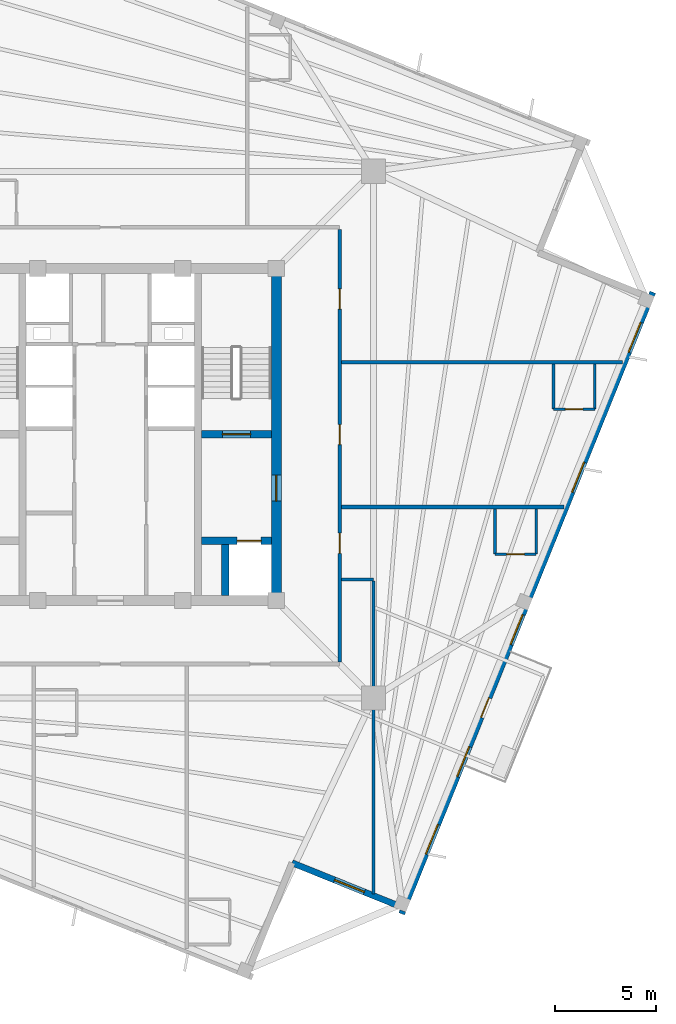
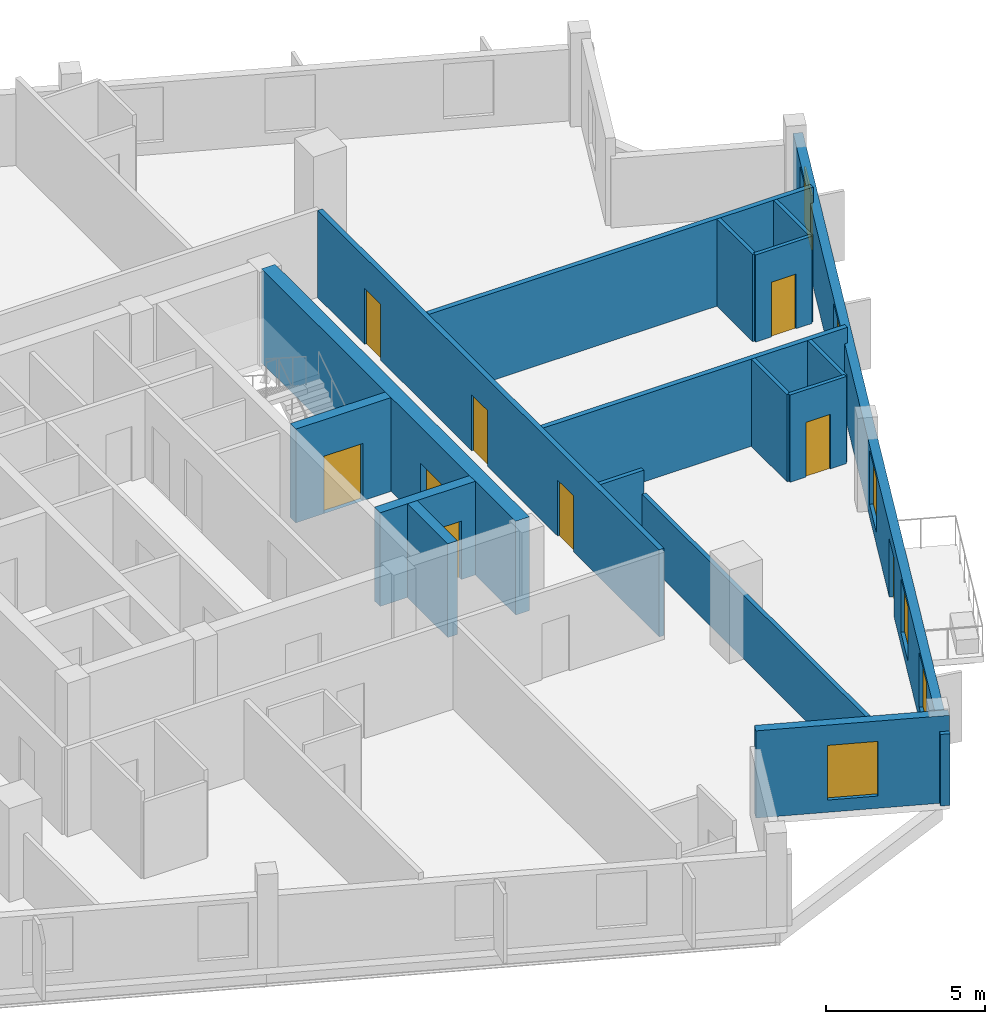
# One storey, part 4 of 9: 17 walls, 9 doors, 6 windows, 15 openings.
"""IFC4 building model written with IfcOpenShell, lengths in metres."""

from ifc_helpers import new_model, si_unit, direction, frame, frame_2d, origin, place, context, subcontext, project, spatial, rectangle, extrude, source, transform, mapped, material, layer, layer_set, type_object, element, fill, save


model = new_model("IFC4")

# Units and contexts
model_context = context("Model", 3, precision=1e-05, world=origin(), true_north=direction((0.0, 1.0)))
body_context = subcontext(model_context, "Body", "Model", "MODEL_VIEW")
ifc_project = project(units=[si_unit("LENGTHUNIT", "METRE"), si_unit("AREAUNIT", "SQUARE_METRE"), si_unit("VOLUMEUNIT", "CUBIC_METRE"), si_unit("PLANEANGLEUNIT", "RADIAN"), si_unit("MASSUNIT", "GRAM", prefix="KILO"), si_unit("THERMODYNAMICTEMPERATUREUNIT", "KELVIN")], contexts=[model_context])

# Site, building, storey
site_placement = place(None, origin())
site = spatial("IfcSite", under=ifc_project, at=site_placement, CompositionType="ELEMENT")
building_placement = place(site_placement, origin())
building = spatial("IfcBuilding", under=site, at=building_placement, Name="Kosmvard Interchange Tower", CompositionType="ELEMENT")
storey_placement = place(building_placement, frame((0.0, 0.0, 272.39990234375)))
storey = spatial("IfcBuildingStorey", under=building, at=storey_placement, Name="L66", CompositionType="ELEMENT", Elevation=272.39990234375)

# Walls
ifc_material_1 = material(Name="Acoustic gypsum partition system")
ifc_layer_1 = layer(ifc_material_1, 0.14990234375, Name="Acoustic gypsum partition system")
ifc_layer_set_1 = layer_set([ifc_layer_1], Name="Acoustic gypsum partition system")
wall_type_1 = type_object("IfcWallType", Name="Acoustic Suite & Meeting Partition 150", PredefinedType="PARTITIONING", material=ifc_layer_set_1)
wall_1_placement = place(storey_placement, frame((11.4951171875, -7.199951171875, 0.0), z_axis=(0.0, 0.0, 1.0), x_axis=(1.0, 0.0, 0.0)))
element("IfcWall", 1, at=wall_1_placement, inside=storey, type_object=wall_type_1, Name="L66 Room Partition 10.1", PredefinedType="PARTITIONING", context=body_context, shape_type="SweptSolid", body=[
    extrude(rectangle(XDim=1.5859375, YDim=0.14990234375, at=frame_2d((0.79296875, 0.0))), origin(), (0.0, 0.0, 1.0), 3.35009765625),
])
wall_2_placement = place(storey_placement, frame((13.0810546875, -7.27490234375, 0.0), z_axis=(0.0, 0.0, 1.0), x_axis=(0.0, -1.0, 0.0)))
element("IfcWall", 2, at=wall_2_placement, inside=storey, type_object=wall_type_1, Name="L66 Room Partition 11.1", PredefinedType="PARTITIONING", context=body_context, shape_type="SweptSolid", body=[
    extrude(rectangle(XDim=15.541748046875, YDim=0.14990234375, at=frame_2d((7.77099609375, 0.0))), origin(), (0.0, 0.0, 1.0), 2.4501953125),
])

# Wall, openings, doors
ifc_material_2 = material(Name="Fire-rated gypsum partition system")
ifc_layer_2 = layer(ifc_material_2, 0.179931640625, Name="Fire-rated gypsum partition system")
ifc_layer_set_2 = layer_set([ifc_layer_2], Name="Fire-rated gypsum partition system")
wall_type_2 = type_object("IfcWallType", Name="Corridor & Hotel Compartment Partition 180", PredefinedType="PARTITIONING", material=ifc_layer_set_2)
wall_3_placement = place(storey_placement, frame((11.39990234375, -11.300048828125, 0.0), z_axis=(0.0, 0.0, 1.0), x_axis=(0.0, 1.0, 0.0)))
wall_3 = element("IfcWall", 3, at=wall_3_placement, inside=storey, type_object=wall_type_2, Name="L66 Corridor Wall CE", PredefinedType="PARTITIONING", context=body_context, shape_type="SweptSolid", body=[
    extrude(rectangle(XDim=21.5, YDim=0.179931640625, at=frame_2d((10.75, 0.0))), origin(), (0.0, 0.0, 1.0), 3.35009765625),
])
opening_1_placement = place(wall_3_placement, frame((17.53564453125, 0.0, 0.0)))
opening_1 = element("IfcOpeningElement", 4, at=opening_1_placement, cuts=wall_3, Name="Opening L66-D07", PredefinedType="OPENING", context=body_context, shape_type="SweptSolid", body=[
    extrude(rectangle(XDim=1.0, YDim=2.14990234375, at=frame_2d((0.5, 1.074951171875))), frame((0.0, 0.10009765625, 0.0), z_axis=(0.0, -1.0, 0.0), x_axis=(1.0, 0.0, 0.0)), (0.0, 0.0, 1.0), 0.199951171875),
])
opening_2_placement = place(wall_3_placement, frame((10.800048828125, 0.0, 0.0)))
opening_2 = element("IfcOpeningElement", 5, at=opening_2_placement, cuts=wall_3, Name="Opening L66-D09", PredefinedType="OPENING", context=body_context, shape_type="SweptSolid", body=[
    extrude(rectangle(XDim=1.0, YDim=2.14990234375, at=frame_2d((0.5, 1.074951171875))), frame((0.0, 0.10009765625, 0.0), z_axis=(0.0, -1.0, 0.0), x_axis=(1.0, 0.0, 0.0)), (0.0, 0.0, 1.0), 0.199951171875),
])
opening_3_placement = place(wall_3_placement, frame((5.39990234375, 0.0, 0.0)))
opening_3 = element("IfcOpeningElement", 6, at=opening_3_placement, cuts=wall_3, Name="Opening L66-D11", PredefinedType="OPENING", context=body_context, shape_type="SweptSolid", body=[
    extrude(rectangle(XDim=1.0, YDim=2.14990234375, at=frame_2d((0.5, 1.074951171875))), frame((0.0, 0.10009765625, 0.0), z_axis=(0.0, -1.0, 0.0), x_axis=(1.0, 0.0, 0.0)), (0.0, 0.0, 1.0), 0.199951171875),
])
ifc_material_3 = material(Name="Engineered oak fire-rated timber", Category="wood")
door_type_1 = type_object("IfcDoorType", Name="Hotel Guestroom Entrance Door 1000x2150 EI60", OperationType="NOTDEFINED", PredefinedType="DOOR", material=ifc_material_3)
shared_shape_1 = source(origin(), body_context, "Body", "SweptSolid", [
    extrude(rectangle(XDim=1.0, YDim=2.14990234375, at=frame_2d((0.5, 1.074951171875))), frame((0.0, 0.02490234375, 0.0), z_axis=(0.0, -1.0, 0.0), x_axis=(1.0, 0.0, 0.0)), (0.0, 0.0, 1.0), 0.050048828125),
])
door_1_placement = place(opening_1_placement, frame((1.0, 0.0, 0.0), z_axis=(0.0, 0.0, 1.0), x_axis=(-1.0, 0.0, 0.0)))
door_1 = element("IfcDoor", 7, at=door_1_placement, inside=storey, type_object=door_type_1, Name="L66 Hotel Queen Junior Suite 2 Door", OperationType="SINGLE_SWING_LEFT", OverallHeight=2.14990234375, OverallWidth=1.0, PredefinedType="DOOR", context=body_context, shape_type="MappedRepresentation", body=[
    mapped(shared_shape_1, transform((0.0, 0.0, 0.0), scale=1.0)),
])
fill(opening_1, door_1)
door_2_placement = place(opening_2_placement, frame((1.0, 0.0, 0.0), z_axis=(0.0, 0.0, 1.0), x_axis=(-1.0, 0.0, 0.0)))
door_2 = element("IfcDoor", 8, at=door_2_placement, inside=storey, type_object=door_type_1, Name="L66 Hotel South-East Corner Suite 2 Door", OperationType="SINGLE_SWING_LEFT", OverallHeight=2.14990234375, OverallWidth=1.0, PredefinedType="DOOR", context=body_context, shape_type="MappedRepresentation", body=[
    mapped(shared_shape_1, transform((0.0, 0.0, 0.0), scale=1.0)),
])
fill(opening_2, door_2)
door_3_placement = place(opening_3_placement, frame((1.0, 0.0, 0.0), z_axis=(0.0, 0.0, 1.0), x_axis=(-1.0, 0.0, 0.0)))
door_3 = element("IfcDoor", 9, at=door_3_placement, inside=storey, type_object=door_type_1, Name="L66 Hotel Superior Junior Suite 3 Door", OperationType="SINGLE_SWING_LEFT", OverallHeight=2.14990234375, OverallWidth=1.0, PredefinedType="DOOR", context=body_context, shape_type="MappedRepresentation", body=[
    mapped(shared_shape_1, transform((0.0, 0.0, 0.0), scale=1.0)),
])
fill(opening_3, door_3)

# Walls
wall_4_placement = place(storey_placement, frame((11.4951171875, 3.60009765625, 0.0), z_axis=(0.0, 0.0, 1.0), x_axis=(1.0, 0.0, 0.0)))
element("IfcWall", 10, at=wall_4_placement, inside=storey, type_object=wall_type_2, Name="L66 Room Partition 03.1", PredefinedType="PARTITIONING", context=body_context, shape_type="SweptSolid", body=[
    extrude(rectangle(XDim=13.962158203125, YDim=0.179931640625, at=frame_2d((6.98095703125, 0.0))), origin(), (0.0, 0.0, 1.0), 3.35009765625),
])
wall_5_placement = place(storey_placement, frame((11.4951171875, -3.60009765625, 0.0), z_axis=(0.0, 0.0, 1.0), x_axis=(1.0, 0.0, 0.0)))
element("IfcWall", 11, at=wall_5_placement, inside=storey, type_object=wall_type_2, Name="L66 Room Partition 04.1", PredefinedType="PARTITIONING", context=body_context, shape_type="SweptSolid", body=[
    extrude(rectangle(XDim=11.05322265625, YDim=0.179931640625, at=frame_2d((5.526611328125, 0.0))), origin(), (0.0, 0.0, 1.0), 3.35009765625),
])

# Wall, opening, door
ifc_material_4 = material(Name="Concrete C60/75", Category="concrete")
ifc_layer_3 = layer(ifc_material_4, 0.360107421875, Name="Concrete C60/75")
ifc_layer_set_3 = layer_set([ifc_layer_3], Name="Concrete C60/75")
wall_type_3 = type_object("IfcWallType", Name="Stair & Lift Shaft Shear Wall 360 C60/75", PredefinedType="SHEAR", material=ifc_layer_set_3)
wall_6_placement = place(storey_placement, frame((4.5400390625, 0.02001953125, 0.0), z_axis=(0.0, 0.0, 1.0), x_axis=(1.0, 0.0, 0.0)))
wall_6 = element("IfcWall", 12, at=wall_6_placement, inside=storey, type_object=wall_type_3, Name="L66 Shaft Shear Wall SW-ST2", PredefinedType="SHEAR", context=body_context, shape_type="SweptSolid", body=[
    extrude(rectangle(XDim=3.4599609375, YDim=0.360107421875, at=frame_2d((1.72998046875, 0.0))), origin(), (0.0, 0.0, 1.0), 3.60009765625),
])
opening_4_placement = place(wall_6_placement, frame((1.030029296875, 0.0, 0.0)))
opening_4 = element("IfcOpeningElement", 13, at=opening_4_placement, cuts=wall_6, Name="Opening L66-SD2", PredefinedType="OPENING", context=body_context, shape_type="SweptSolid", body=[
    extrude(rectangle(XDim=1.39990234375, YDim=2.199951171875, at=frame_2d((0.699951171875, 1.10009765625))), frame((0.0, 0.18994140625, 0.0), z_axis=(0.0, -1.0, 0.0), x_axis=(1.0, 0.0, 0.0)), (0.0, 0.0, 1.0), 0.380126953125),
])
ifc_material_5 = material(Name="Painted fire-rated steel leaf", Category="steel")
door_type_2 = type_object("IfcDoorType", Name="Protected Stair Door 1400x2200 FD60S", OperationType="NOTDEFINED", PredefinedType="DOOR", material=ifc_material_5)
shared_shape_2 = source(origin(), body_context, "Body", "SweptSolid", [
    extrude(rectangle(XDim=1.39990234375, YDim=2.199951171875, at=frame_2d((0.699951171875, 1.10009765625))), frame((0.0, 0.02490234375, 0.0), z_axis=(0.0, -1.0, 0.0), x_axis=(1.0, 0.0, 0.0)), (0.0, 0.0, 1.0), 0.050048828125),
])
door_4_placement = place(opening_4_placement, origin())
door_4 = element("IfcDoor", 14, at=door_4_placement, inside=storey, type_object=door_type_2, Name="L66 Stair ST-2 Enclosure Door", OperationType="SINGLE_SWING_RIGHT", OverallHeight=2.199951171875, OverallWidth=1.39990234375, PredefinedType="DOOR", context=body_context, shape_type="MappedRepresentation", body=[
    mapped(shared_shape_2, transform((0.0, 0.0, 0.0), scale=1.0)),
])
fill(opening_4, door_4)

wall_7_placement = place(storey_placement, frame((4.5400390625, -5.280029296875, 0.0), z_axis=(0.0, 0.0, 1.0), x_axis=(1.0, 0.0, 0.0)))
wall_7 = element("IfcWall", 15, at=wall_7_placement, inside=storey, type_object=wall_type_3, Name="L66 Shaft Shear Wall SW-FF2", PredefinedType="SHEAR", context=body_context, shape_type="SweptSolid", body=[
    extrude(rectangle(XDim=3.4599609375, YDim=0.360107421875, at=frame_2d((1.72998046875, 0.0))), origin(), (0.0, 0.0, 1.0), 3.60009765625),
])
opening_5_placement = place(wall_7_placement, frame((1.760009765625, 0.0, 0.0)))
opening_5 = element("IfcOpeningElement", 16, at=opening_5_placement, cuts=wall_7, Name="Opening LD-FF-2-L66", PredefinedType="OPENING", context=body_context, shape_type="SweptSolid", body=[
    extrude(rectangle(XDim=1.199951171875, YDim=2.25, at=frame_2d((0.60009765625, 1.125))), frame((0.0, 0.18994140625, 0.0), z_axis=(0.0, -1.0, 0.0), x_axis=(1.0, 0.0, 0.0)), (0.0, 0.0, 1.0), 0.380126953125),
])
ifc_material_6 = material(Name="Brushed stainless steel sliding leaf", Category="steel")
door_type_3 = type_object("IfcDoorType", Name="Firefighting Lift Sliding Landing Door 1200x2250 EI120", OperationType="DOUBLE_DOOR_SLIDING", PredefinedType="DOOR", material=ifc_material_6)
shared_shape_3 = source(origin(), body_context, "Body", "SweptSolid", [
    extrude(rectangle(XDim=1.199951171875, YDim=2.25, at=frame_2d((0.60009765625, 1.125))), frame((0.0, 0.02490234375, 0.0), z_axis=(0.0, -1.0, 0.0), x_axis=(1.0, 0.0, 0.0)), (0.0, 0.0, 1.0), 0.050048828125),
])
door_5_placement = place(opening_5_placement, origin())
door_5 = element("IfcDoor", 17, at=door_5_placement, inside=storey, type_object=door_type_3, Name="Lift FF-2 Landing Door L66", OperationType="DOUBLE_DOOR_SLIDING", OverallHeight=2.25, OverallWidth=1.199951171875, PredefinedType="DOOR", context=body_context, shape_type="MappedRepresentation", body=[
    mapped(shared_shape_3, transform((0.0, 0.0, 0.0), scale=1.0)),
])
fill(opening_5, door_5)

# Wall
wall_8_placement = place(storey_placement, frame((5.7099609375, -8.0, 0.0), z_axis=(0.0, 0.0, 1.0), x_axis=(0.0, 1.0, 0.0)))
element("IfcWall", 18, at=wall_8_placement, inside=storey, type_object=wall_type_3, Name="L66 Shaft Shear Wall SW-SM2", PredefinedType="SHEAR", context=body_context, shape_type="SweptSolid", body=[
    extrude(rectangle(XDim=2.5400390625, YDim=0.360107421875, at=frame_2d((1.27001953125, 0.0))), origin(), (0.0, 0.0, 1.0), 3.60009765625),
])

# Wall, opening, door
ifc_layer_4 = layer(ifc_material_4, 0.5, Name="Concrete C60/75")
ifc_layer_set_4 = layer_set([ifc_layer_4], Name="Concrete C60/75")
wall_type_4 = type_object("IfcWallType", Name="Upper Core Shear Wall 500 C60/75", PredefinedType="SHEAR", material=ifc_layer_set_4)
wall_9_placement = place(storey_placement, frame((8.25, -8.0, 0.0), z_axis=(0.0, 0.0, 1.0), x_axis=(0.0, 1.0, 0.0)))
wall_9 = element("IfcWall", 19, at=wall_9_placement, inside=storey, type_object=wall_type_4, Name="L66 Core Shear Wall CW-E", PredefinedType="SHEAR", context=body_context, shape_type="SweptSolid", body=[
    extrude(rectangle(XDim=16.0, YDim=0.5, at=frame_2d((8.0, 0.0))), origin(), (0.0, 0.0, 1.0), 3.60009765625),
])
opening_6_placement = place(wall_9_placement, frame((4.68994140625, 0.0, 0.0)))
opening_6 = element("IfcOpeningElement", 20, at=opening_6_placement, cuts=wall_9, Name="Opening L66-FD2", PredefinedType="OPENING", context=body_context, shape_type="SweptSolid", body=[
    extrude(rectangle(XDim=1.300048828125, YDim=2.199951171875, at=frame_2d((0.64990234375, 1.10009765625))), frame((0.0, 0.260009765625, 0.0), z_axis=(0.0, -1.0, 0.0), x_axis=(1.0, 0.0, 0.0)), (0.0, 0.0, 1.0), 0.52001953125),
])
door_type_4 = type_object("IfcDoorType", Name="Firefighting Lobby Door 1300x2200 EI60", OperationType="NOTDEFINED", PredefinedType="DOOR", material=ifc_material_5)
shared_shape_4 = source(origin(), body_context, "Body", "SweptSolid", [
    extrude(rectangle(XDim=1.300048828125, YDim=2.199951171875, at=frame_2d((0.64990234375, 1.10009765625))), frame((0.0, 0.02490234375, 0.0), z_axis=(0.0, -1.0, 0.0), x_axis=(1.0, 0.0, 0.0)), (0.0, 0.0, 1.0), 0.050048828125),
])
door_6_placement = place(opening_6_placement, origin())
door_6 = element("IfcDoor", 21, at=door_6_placement, inside=storey, type_object=door_type_4, Name="L66 Firefighting Lobby East Door", OperationType="SINGLE_SWING_RIGHT", OverallHeight=2.199951171875, OverallWidth=1.300048828125, PredefinedType="DOOR", context=body_context, shape_type="MappedRepresentation", body=[
    mapped(shared_shape_4, transform((0.0, 0.0, 0.0), scale=1.0)),
])
fill(opening_6, door_6)

# Wall, openings, door, windows
ifc_material_7 = material(Name="Precast concrete C45/55", Category="concrete")
ifc_layer_5 = layer(ifc_material_7, 0.31005859375, Name="Precast concrete C45/55")
ifc_layer_set_5 = layer_set([ifc_layer_5], Name="Precast concrete C45/55")
wall_type_5 = type_object("IfcWallType", Name="Upper Tower Precast Pier Wall 310 C45/55", PredefinedType="STANDARD", material=ifc_layer_set_5)
wall_10_placement = place(storey_placement, frame((14.478759765625, -23.812744140625, 0.0), z_axis=(0.0, 0.0, 1.0), x_axis=(0.374609557019, 0.927182657188, 0.0)))
wall_10 = element("IfcWall", 22, at=wall_10_placement, inside=storey, type_object=wall_type_5, Name="L66 Precast Facade Wall F-S", PredefinedType="STANDARD", context=body_context, shape_type="SweptSolid", body=[
    extrude(rectangle(XDim=33.31005859375, YDim=0.31005859375, at=frame_2d((16.655029296875, 0.0))), origin(), (0.0, 0.0, 1.0), 2.75),
])
opening_7_placement = place(wall_10_placement, frame((10.530029296875, 0.0, 0.0)))
opening_7 = element("IfcOpeningElement", 23, at=opening_7_placement, cuts=wall_10, Name="Opening L66-BDS", PredefinedType="OPENING", context=body_context, shape_type="SweptSolid", body=[
    extrude(rectangle(XDim=1.050048828125, YDim=2.25, at=frame_2d((0.52490234375, 1.125))), frame((0.0, 0.1650390625, 0.0), z_axis=(0.0, -1.0, 0.0), x_axis=(1.0, 0.0, 0.0)), (0.0, 0.0, 1.0), 0.330078125),
])
opening_8_placement = place(wall_10_placement, frame((3.197265625, 0.0, 0.469970703125)))
opening_8 = element("IfcOpeningElement", 24, at=opening_8_placement, cuts=wall_10, Name="Opening L66-W01", PredefinedType="OPENING", context=body_context, shape_type="SweptSolid", body=[
    extrude(rectangle(XDim=1.60009765625, YDim=2.10009765625, at=frame_2d((0.800048828125, 1.050048828125))), frame((0.0, 0.1650390625, 0.0), z_axis=(0.0, -1.0, 0.0), x_axis=(1.0, 0.0, 0.0)), (0.0, 0.0, 1.0), 0.330078125),
])
opening_9_placement = place(wall_10_placement, frame((7.35986328125, 0.0, 0.469970703125)))
opening_9 = element("IfcOpeningElement", 25, at=opening_9_placement, cuts=wall_10, Name="Opening L66-W02", PredefinedType="OPENING", context=body_context, shape_type="SweptSolid", body=[
    extrude(rectangle(XDim=1.60009765625, YDim=2.10009765625, at=frame_2d((0.800048828125, 1.050048828125))), frame((0.0, 0.1650390625, 0.0), z_axis=(0.0, -1.0, 0.0), x_axis=(1.0, 0.0, 0.0)), (0.0, 0.0, 1.0), 0.330078125),
])
opening_10_placement = place(wall_10_placement, frame((14.438720703125, 0.0, 0.469970703125)))
opening_10 = element("IfcOpeningElement", 26, at=opening_10_placement, cuts=wall_10, Name="Opening L66-W03", PredefinedType="OPENING", context=body_context, shape_type="SweptSolid", body=[
    extrude(rectangle(XDim=1.60009765625, YDim=2.10009765625, at=frame_2d((0.800048828125, 1.050048828125))), frame((0.0, 0.1650390625, 0.0), z_axis=(0.0, -1.0, 0.0), x_axis=(1.0, 0.0, 0.0)), (0.0, 0.0, 1.0), 0.330078125),
])
opening_11_placement = place(wall_10_placement, frame((22.600830078125, 0.0, 0.469970703125)))
opening_11 = element("IfcOpeningElement", 27, at=opening_11_placement, cuts=wall_10, Name="Opening L66-W04", PredefinedType="OPENING", context=body_context, shape_type="SweptSolid", body=[
    extrude(rectangle(XDim=1.60009765625, YDim=2.10009765625, at=frame_2d((0.800048828125, 1.050048828125))), frame((0.0, 0.1650390625, 0.0), z_axis=(0.0, -1.0, 0.0), x_axis=(1.0, 0.0, 0.0)), (0.0, 0.0, 1.0), 0.330078125),
])
opening_12_placement = place(wall_10_placement, frame((30.0966796875, 0.0, 0.469970703125)))
opening_12 = element("IfcOpeningElement", 28, at=opening_12_placement, cuts=wall_10, Name="Opening L66-W05", PredefinedType="OPENING", context=body_context, shape_type="SweptSolid", body=[
    extrude(rectangle(XDim=1.60009765625, YDim=2.10009765625, at=frame_2d((0.800048828125, 1.050048828125))), frame((0.0, 0.1650390625, 0.0), z_axis=(0.0, -1.0, 0.0), x_axis=(1.0, 0.0, 0.0)), (0.0, 0.0, 1.0), 0.330078125),
])
ifc_material_8 = material(Name="Anodised aluminium and safety glass", Category="aluminium")
door_type_5 = type_object("IfcDoorType", Name="Tree-Balcony Glazed Door 1050x2250", OperationType="NOTDEFINED", PredefinedType="DOOR", material=ifc_material_8)
shared_shape_5 = source(origin(), body_context, "Body", "SweptSolid", [
    extrude(rectangle(XDim=1.050048828125, YDim=2.25, at=frame_2d((0.52490234375, 1.125))), frame((0.0, 0.02490234375, 0.0), z_axis=(0.0, -1.0, 0.0), x_axis=(1.0, 0.0, 0.0)), (0.0, 0.0, 1.0), 0.050048828125),
])
door_7_placement = place(opening_7_placement, origin())
door_7 = element("IfcDoor", 29, at=door_7_placement, inside=storey, type_object=door_type_5, Name="L66 Tree-Balcony Door BAL-L66-S", OperationType="SINGLE_SWING_LEFT", OverallHeight=2.25, OverallWidth=1.050048828125, PredefinedType="DOOR", context=body_context, shape_type="MappedRepresentation", body=[
    mapped(shared_shape_5, transform((0.0, 0.0, 0.0), scale=1.0)),
])
fill(opening_7, door_7)
ifc_material_9 = material(Name="Low-E acoustic double glazing", Category="glass")
window_type = type_object("IfcWindowType", Name="Zone 5 Hotel Punched Window 1600x2100", PartitioningType="SINGLE_PANEL", PredefinedType="WINDOW", material=ifc_material_9)
shared_shape_6 = source(origin(), body_context, "Body", "SweptSolid", [
    extrude(rectangle(XDim=1.60009765625, YDim=2.10009765625, at=frame_2d((0.800048828125, 1.050048828125))), frame((0.0, 0.030029296875, 0.0), z_axis=(0.0, -1.0, 0.0), x_axis=(1.0, 0.0, 0.0)), (0.0, 0.0, 1.0), 0.06005859375),
])
window_1_placement = place(opening_8_placement, origin())
window_1 = element("IfcWindow", 30, at=window_1_placement, inside=storey, type_object=window_type, Name="L66 Facade Punched Window 01", OverallHeight=2.10009765625, OverallWidth=1.60009765625, PartitioningType="SINGLE_PANEL", PredefinedType="WINDOW", context=body_context, shape_type="MappedRepresentation", body=[
    mapped(shared_shape_6, transform((0.0, 0.0, 0.0), scale=1.0)),
])
fill(opening_8, window_1)
window_2_placement = place(opening_9_placement, origin())
window_2 = element("IfcWindow", 31, at=window_2_placement, inside=storey, type_object=window_type, Name="L66 Facade Punched Window 02", OverallHeight=2.10009765625, OverallWidth=1.60009765625, PartitioningType="SINGLE_PANEL", PredefinedType="WINDOW", context=body_context, shape_type="MappedRepresentation", body=[
    mapped(shared_shape_6, transform((0.0, 0.0, 0.0), scale=1.0)),
])
fill(opening_9, window_2)
window_3_placement = place(opening_10_placement, origin())
window_3 = element("IfcWindow", 32, at=window_3_placement, inside=storey, type_object=window_type, Name="L66 Facade Punched Window 03", OverallHeight=2.10009765625, OverallWidth=1.60009765625, PartitioningType="SINGLE_PANEL", PredefinedType="WINDOW", context=body_context, shape_type="MappedRepresentation", body=[
    mapped(shared_shape_6, transform((0.0, 0.0, 0.0), scale=1.0)),
])
fill(opening_10, window_3)
window_4_placement = place(opening_11_placement, origin())
window_4 = element("IfcWindow", 33, at=window_4_placement, inside=storey, type_object=window_type, Name="L66 Facade Punched Window 04", OverallHeight=2.10009765625, OverallWidth=1.60009765625, PartitioningType="SINGLE_PANEL", PredefinedType="WINDOW", context=body_context, shape_type="MappedRepresentation", body=[
    mapped(shared_shape_6, transform((0.0, 0.0, 0.0), scale=1.0)),
])
fill(opening_11, window_4)
window_5_placement = place(opening_12_placement, origin())
window_5 = element("IfcWindow", 34, at=window_5_placement, inside=storey, type_object=window_type, Name="L66 Facade Punched Window 05", OverallHeight=2.10009765625, OverallWidth=1.60009765625, PartitioningType="SINGLE_PANEL", PredefinedType="WINDOW", context=body_context, shape_type="MappedRepresentation", body=[
    mapped(shared_shape_6, transform((0.0, 0.0, 0.0), scale=1.0)),
])
fill(opening_12, window_5)

# Wall, opening, window
wall_11_placement = place(storey_placement, frame((9.031982421875, -21.27783203125, 0.0), z_axis=(0.0, 0.0, 1.0), x_axis=(0.927185411764, -0.374602739196, 0.0)))
wall_11 = element("IfcWall", 35, at=wall_11_placement, inside=storey, type_object=wall_type_5, Name="L66 Precast Facade Wall N-SW2", PredefinedType="STANDARD", context=body_context, shape_type="SweptSolid", body=[
    extrude(rectangle(XDim=6.155029296875, YDim=0.31005859375, at=frame_2d((3.07763671875, 0.0))), origin(), (0.0, 0.0, 1.0), 3.35009765625),
])
opening_13_placement = place(wall_11_placement, frame((2.277587890625, 0.0, 0.469970703125)))
opening_13 = element("IfcOpeningElement", 36, at=opening_13_placement, cuts=wall_11, Name="Opening L66-W24", PredefinedType="OPENING", context=body_context, shape_type="SweptSolid", body=[
    extrude(rectangle(XDim=1.60009765625, YDim=2.10009765625, at=frame_2d((0.800048828125, 1.050048828125))), frame((0.0, 0.1650390625, 0.0), z_axis=(0.0, -1.0, 0.0), x_axis=(1.0, 0.0, 0.0)), (0.0, 0.0, 1.0), 0.330078125),
])
window_6_placement = place(opening_13_placement, origin())
window_6 = element("IfcWindow", 37, at=window_6_placement, inside=storey, type_object=window_type, Name="L66 Corner Notch Window 24", OverallHeight=2.10009765625, OverallWidth=1.60009765625, PartitioningType="SINGLE_PANEL", PredefinedType="WINDOW", context=body_context, shape_type="MappedRepresentation", body=[
    mapped(shared_shape_6, transform((0.0, 0.0, 0.0), scale=1.0)),
])
fill(opening_13, window_6)

# Wall, opening, door
ifc_material_10 = material(Name="Moisture-resistant gypsum partition")
ifc_layer_6 = layer(ifc_material_10, 0.135009765625, Name="Moisture-resistant gypsum partition")
ifc_layer_set_6 = layer_set([ifc_layer_6], Name="Moisture-resistant gypsum partition")
wall_type_6 = type_object("IfcWallType", Name="Wet Room Moisture-Resistant Partition 135", PredefinedType="PARTITIONING", material=ifc_layer_set_6)
wall_12_placement = place(storey_placement, frame((22.02392578125, 1.260009765625, 0.0), z_axis=(0.0, 0.0, 1.0), x_axis=(1.0, 0.0, 0.0)))
wall_12 = element("IfcWall", 38, at=wall_12_placement, inside=storey, type_object=wall_type_6, Name="L66 En-Suite Partition HCS2-S", PredefinedType="PARTITIONING", context=body_context, shape_type="SweptSolid", body=[
    extrude(rectangle(XDim=2.050048828125, YDim=0.135009765625, at=frame_2d((1.02490234375, 0.0))), origin(), (0.0, 0.0, 1.0), 3.35009765625),
])
opening_14_placement = place(wall_12_placement, frame((0.5849609375, 0.0, 0.0)))
opening_14 = element("IfcOpeningElement", 39, at=opening_14_placement, cuts=wall_12, Name="Opening L66-ED10", PredefinedType="OPENING", context=body_context, shape_type="SweptSolid", body=[
    extrude(rectangle(XDim=0.8798828125, YDim=2.10009765625, at=frame_2d((0.43994140625, 1.050048828125))), frame((0.0, 0.07763671875, 0.0), z_axis=(0.0, -1.0, 0.0), x_axis=(1.0, 0.0, 0.0)), (0.0, 0.0, 1.0), 0.155029296875),
])
ifc_material_11 = material(Name="Laminated moisture-resistant timber", Category="wood")
door_type_6 = type_object("IfcDoorType", Name="En-Suite & Washroom Door 880x2100", OperationType="NOTDEFINED", PredefinedType="DOOR", material=ifc_material_11)
shared_shape_7 = source(origin(), body_context, "Body", "SweptSolid", [
    extrude(rectangle(XDim=0.8798828125, YDim=2.10009765625, at=frame_2d((0.43994140625, 1.050048828125))), frame((0.0, 0.02490234375, 0.0), z_axis=(0.0, -1.0, 0.0), x_axis=(1.0, 0.0, 0.0)), (0.0, 0.0, 1.0), 0.050048828125),
])
door_8_placement = place(opening_14_placement, origin())
door_8 = element("IfcDoor", 40, at=door_8_placement, inside=storey, type_object=door_type_6, Name="L66 HCS2 En-Suite Door", OperationType="SINGLE_SWING_LEFT", OverallHeight=2.10009765625, OverallWidth=0.8798828125, PredefinedType="DOOR", context=body_context, shape_type="MappedRepresentation", body=[
    mapped(shared_shape_7, transform((0.0, 0.0, 0.0), scale=1.0)),
])
fill(opening_14, door_8)

# Walls
for number, where, z_axis, x_axis, name in (
    (41, (24.073974609375, 1.260009765625, 0.0), (0.0, 0.0, 1.0), (0.0, 1.0, 0.0), "L66 En-Suite Partition HCS2-E"),
    (42, (22.02392578125, 1.260009765625, 0.0), (0.0, 0.0, 1.0), (0.0, 1.0, 0.0), "L66 En-Suite Partition HCS2-W"),
):
    element("IfcWall", number, at=place(storey_placement, frame(where, z_axis=z_axis, x_axis=x_axis)), inside=storey, type_object=wall_type_6, Name=name, PredefinedType="PARTITIONING", context=body_context, shape_type="SweptSolid", body=[
        extrude(rectangle(XDim=2.25, YDim=0.135009765625, at=frame_2d((1.125, 0.0))), origin(), (0.0, 0.0, 1.0), 3.35009765625),
    ])

# Wall, opening, door
wall_13_placement = place(storey_placement, frame((19.114990234375, -5.93994140625, 0.0), z_axis=(0.0, 0.0, 1.0), x_axis=(1.0, 0.0, 0.0)))
wall_13 = element("IfcWall", 43, at=wall_13_placement, inside=storey, type_object=wall_type_6, Name="L66 En-Suite Partition HGR3-S", PredefinedType="PARTITIONING", context=body_context, shape_type="SweptSolid", body=[
    extrude(rectangle(XDim=2.050048828125, YDim=0.135009765625, at=frame_2d((1.02490234375, 0.0))), origin(), (0.0, 0.0, 1.0), 3.35009765625),
])
opening_15_placement = place(wall_13_placement, frame((0.5849609375, 0.0, 0.0)))
opening_15 = element("IfcOpeningElement", 44, at=opening_15_placement, cuts=wall_13, Name="Opening L66-ED12", PredefinedType="OPENING", context=body_context, shape_type="SweptSolid", body=[
    extrude(rectangle(XDim=0.8798828125, YDim=2.10009765625, at=frame_2d((0.43994140625, 1.050048828125))), frame((0.0, 0.07763671875, 0.0), z_axis=(0.0, -1.0, 0.0), x_axis=(1.0, 0.0, 0.0)), (0.0, 0.0, 1.0), 0.155029296875),
])
door_9_placement = place(opening_15_placement, origin())
door_9 = element("IfcDoor", 45, at=door_9_placement, inside=storey, type_object=door_type_6, Name="L66 HGR3 En-Suite Door", OperationType="SINGLE_SWING_LEFT", OverallHeight=2.10009765625, OverallWidth=0.8798828125, PredefinedType="DOOR", context=body_context, shape_type="MappedRepresentation", body=[
    mapped(shared_shape_7, transform((0.0, 0.0, 0.0), scale=1.0)),
])
fill(opening_15, door_9)

# Walls
for number, where, z_axis, x_axis, name in (
    (46, (21.1650390625, -5.93994140625, 0.0), (0.0, 0.0, 1.0), (0.0, 1.0, 0.0), "L66 En-Suite Partition HGR3-E"),
    (47, (19.114990234375, -5.93994140625, 0.0), (0.0, 0.0, 1.0), (0.0, 1.0, 0.0), "L66 En-Suite Partition HGR3-W"),
):
    element("IfcWall", number, at=place(storey_placement, frame(where, z_axis=z_axis, x_axis=x_axis)), inside=storey, type_object=wall_type_6, Name=name, PredefinedType="PARTITIONING", context=body_context, shape_type="SweptSolid", body=[
        extrude(rectangle(XDim=2.25, YDim=0.135009765625, at=frame_2d((1.125, 0.0))), origin(), (0.0, 0.0, 1.0), 3.35009765625),
    ])

save(model, "model.ifc")
